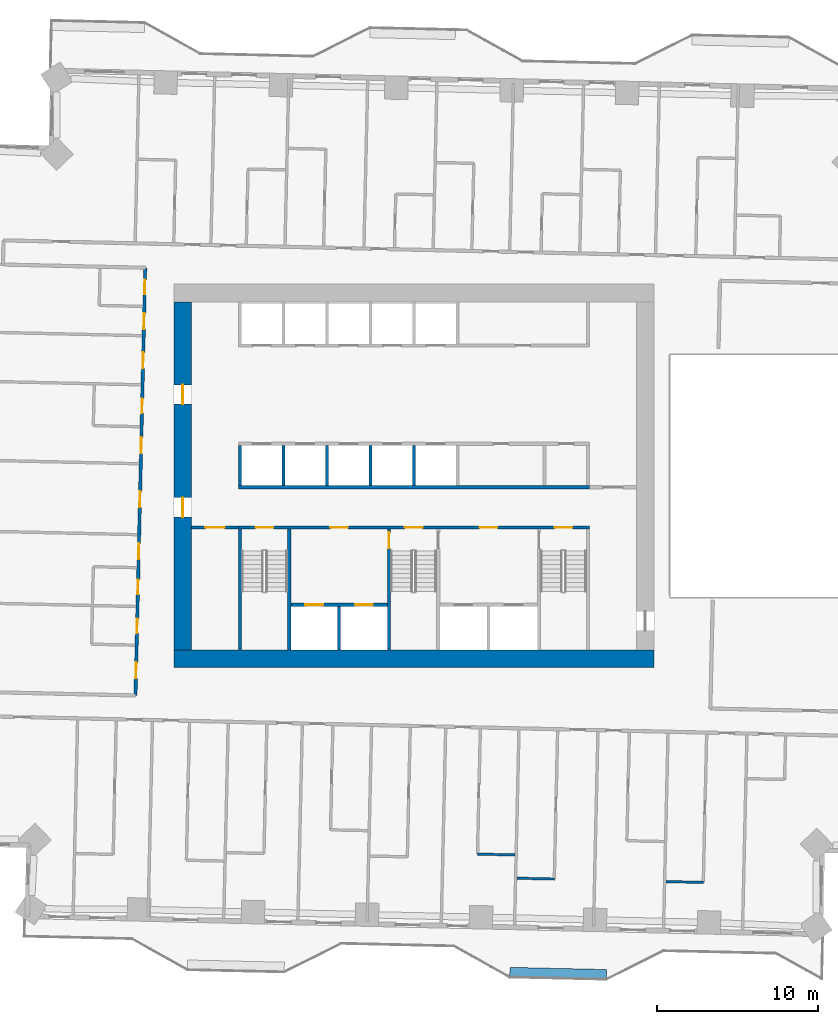
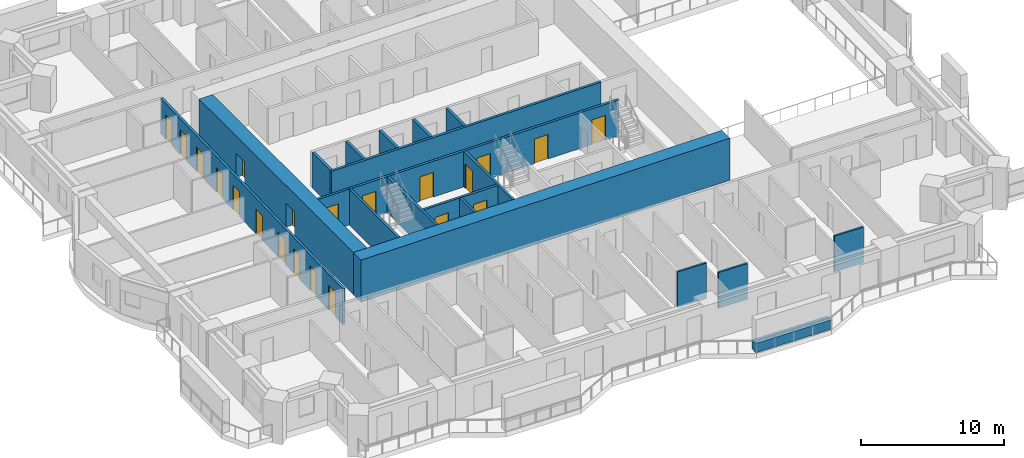
# One storey, part 8 of 18: 21 doors, 20 walls, 21 openings.
"""IFC4 building model written with IfcOpenShell, lengths in metres."""

from ifc_helpers import new_model, si_unit, direction, frame, frame_2d, origin, place, context, subcontext, project, spatial, rectangle, extrude, material, layer, layer_set, type_object, element, fill, save


model = new_model("IFC4")

# Units and contexts
model_context = context("Model", 3, precision=1e-05, world=origin(), true_north=direction((0.0, 1.0)))
body_context = subcontext(model_context, "Body", "Model", "MODEL_VIEW")
ifc_project = project(units=[si_unit("LENGTHUNIT", "METRE"), si_unit("AREAUNIT", "SQUARE_METRE"), si_unit("VOLUMEUNIT", "CUBIC_METRE"), si_unit("PLANEANGLEUNIT", "RADIAN"), si_unit("MASSUNIT", "GRAM", prefix="KILO")], contexts=[model_context])

# Site, building, storey
site_placement = place(None, origin())
site = spatial("IfcSite", under=ifc_project, at=site_placement, CompositionType="ELEMENT")
building_placement = place(site_placement, origin())
building = spatial("IfcBuilding", under=site, at=building_placement, Name="Mangrove Gate Tower", CompositionType="ELEMENT")
storey_placement = place(building_placement, frame((0.0, 0.0, 67.5)))
storey = spatial("IfcBuildingStorey", under=building, at=storey_placement, Name="L16", CompositionType="ELEMENT", Elevation=67.5)

# Wall, opening, door
ifc_material_1 = material(Name="Concrete C32/40", Category="concrete")
ifc_layer_1 = layer(ifc_material_1, 0.199951171875)
ifc_layer_set_1 = layer_set([ifc_layer_1], Name="Core lobby wall 200 C32/40")
wall_type_1 = type_object("IfcWallType", Name="Core lobby wall 200 C32/40", PredefinedType="STANDARD", material=ifc_layer_set_1)
wall_1_placement = place(storey_placement, frame((-13.800048828125, -3.199951171875, 0.0), z_axis=(0.0, 0.0, 1.0), x_axis=(1.0, 0.0, 0.0)))
wall_1 = element("IfcWall", 1, at=wall_1_placement, inside=storey, type_object=wall_type_1, Name="WALL-L16-CORE-34", PredefinedType="STANDARD", context=body_context, shape_type="SweptSolid", body=[
    extrude(rectangle(XDim=2.900146484375, YDim=0.199951171875, at=frame_2d((1.4501953125, 0.0))), origin(), (0.0, 0.0, 1.0), 3.050048828125),
])
opening_1_placement = place(wall_1_placement, frame((0.85009765625, 0.0, 0.0)))
opening_1 = element("IfcOpeningElement", 2, at=opening_1_placement, cuts=wall_1, Name="Opening FL12", PredefinedType="OPENING", context=body_context, shape_type="SweptSolid", body=[
    extrude(rectangle(XDim=1.199951171875, YDim=2.10009765625, at=frame_2d((0.60009765625, 1.050048828125))), frame((0.0, 0.10986328125, 0.0), z_axis=(0.0, -1.0, 0.0), x_axis=(1.0, 0.0, 0.0)), (0.0, 0.0, 1.0), 0.219970703125),
])
ifc_material_2 = material(Name="Fire-rated steel door set", Category="steel")
door_type_1 = type_object("IfcDoorType", Name="Lobby door FD60 1200x2100", OperationType="SINGLE_SWING_LEFT", PredefinedType="DOOR", material=ifc_material_2)
door_1_placement = place(opening_1_placement, origin())
door_1 = element("IfcDoor", 3, at=door_1_placement, inside=storey, type_object=door_type_1, Name="Lobby door core corridor W partition", OperationType="SINGLE_SWING_LEFT", OverallHeight=2.10009765625, OverallWidth=1.199951171875, PredefinedType="DOOR", context=body_context, shape_type="SweptSolid", body=[
    extrude(rectangle(XDim=1.199951171875, YDim=2.10009765625, at=frame_2d((0.60009765625, 1.050048828125))), frame((0.0, 0.02490234375, 0.0), z_axis=(0.0, -1.0, 0.0), x_axis=(1.0, 0.0, 0.0)), (0.0, 0.0, 1.0), 0.050048828125),
])
fill(opening_1, door_1)

# Wall
ifc_material_3 = material(Name="Concrete C70/85", Category="concrete")
ifc_layer_2 = layer(ifc_material_3, 0.199951171875)
ifc_layer_set_2 = layer_set([ifc_layer_2], Name="Core shaft wall 200 C70/85")
wall_type_2 = type_object("IfcWallType", Name="Core shaft wall 200 C70/85", PredefinedType="SHEAR", material=ifc_layer_set_2)
wall_2_placement = place(storey_placement, frame((-10.89990234375, -0.699951171875, 0.0), z_axis=(0.0, 0.0, 1.0), x_axis=(1.0, 0.0, 0.0)))
element("IfcWall", 4, at=wall_2_placement, inside=storey, type_object=wall_type_2, Name="WALL-L16-CORE-6", PredefinedType="SHEAR", context=body_context, shape_type="SweptSolid", body=[
    extrude(rectangle(XDim=21.7998046875, YDim=0.199951171875, at=frame_2d((10.89990234375, 0.0))), origin(), (0.0, 0.0, 1.0), 3.050048828125),
])

# Wall, openings, doors
wall_3_placement = place(storey_placement, frame((-7.64990234375, -8.0, 0.0), z_axis=(0.0, 0.0, 1.0), x_axis=(1.0, 0.0, 0.0)))
wall_3 = element("IfcWall", 5, at=wall_3_placement, inside=storey, type_object=wall_type_2, Name="WALL-L16-CORE-15", PredefinedType="SHEAR", context=body_context, shape_type="SweptSolid", body=[
    extrude(rectangle(XDim=6.0, YDim=0.199951171875, at=frame_2d((3.0, 0.0))), origin(), (0.0, 0.0, 1.0), 3.050048828125),
])
opening_2_placement = place(wall_3_placement, frame((0.89990234375, 0.0, 0.0)))
opening_2 = element("IfcOpeningElement", 6, at=opening_2_placement, cuts=wall_3, Name="Opening LD", PredefinedType="OPENING", context=body_context, shape_type="SweptSolid", body=[
    extrude(rectangle(XDim=1.10009765625, YDim=2.10009765625, at=frame_2d((0.550048828125, 1.050048828125))), frame((0.0, 0.10986328125, 0.0), z_axis=(0.0, -1.0, 0.0), x_axis=(1.0, 0.0, 0.0)), (0.0, 0.0, 1.0), 0.219970703125),
])
opening_3_placement = place(wall_3_placement, frame((4.0, 0.0, 0.0)))
opening_3 = element("IfcOpeningElement", 7, at=opening_3_placement, cuts=wall_3, Name="Opening LD", PredefinedType="OPENING", context=body_context, shape_type="SweptSolid", body=[
    extrude(rectangle(XDim=1.10009765625, YDim=2.10009765625, at=frame_2d((0.550048828125, 1.050048828125))), frame((0.0, 0.10986328125, 0.0), z_axis=(0.0, -1.0, 0.0), x_axis=(1.0, 0.0, 0.0)), (0.0, 0.0, 1.0), 0.219970703125),
])
ifc_material_4 = material(Name="Stainless steel 316", Category="steel")
door_type_2 = type_object("IfcDoorType", Name="Lift landing door 1100x2100", OperationType="SLIDING_TO_LEFT", PredefinedType="DOOR", material=ifc_material_4)
door_2_placement = place(opening_2_placement, origin())
door_2 = element("IfcDoor", 8, at=door_2_placement, inside=storey, type_object=door_type_2, Name="Landing door LD SVL1", OperationType="SLIDING_TO_LEFT", OverallHeight=2.10009765625, OverallWidth=1.10009765625, PredefinedType="DOOR", context=body_context, shape_type="SweptSolid", body=[
    extrude(rectangle(XDim=1.10009765625, YDim=2.10009765625, at=frame_2d((0.550048828125, 1.050048828125))), frame((0.0, 0.02490234375, 0.0), z_axis=(0.0, -1.0, 0.0), x_axis=(1.0, 0.0, 0.0)), (0.0, 0.0, 1.0), 0.050048828125),
])
fill(opening_2, door_2)
door_3_placement = place(opening_3_placement, origin())
door_3 = element("IfcDoor", 9, at=door_3_placement, inside=storey, type_object=door_type_2, Name="Landing door LD SVL2", OperationType="SLIDING_TO_LEFT", OverallHeight=2.10009765625, OverallWidth=1.10009765625, PredefinedType="DOOR", context=body_context, shape_type="SweptSolid", body=[
    extrude(rectangle(XDim=1.10009765625, YDim=2.10009765625, at=frame_2d((0.550048828125, 1.050048828125))), frame((0.0, 0.02490234375, 0.0), z_axis=(0.0, -1.0, 0.0), x_axis=(1.0, 0.0, 0.0)), (0.0, 0.0, 1.0), 0.050048828125),
])
fill(opening_3, door_3)

# Walls
wall_4_placement = place(storey_placement, frame((-4.64990234375, -10.800048828125, 0.0), z_axis=(0.0, 0.0, 1.0), x_axis=(0.0, 1.0, 0.0)))
element("IfcWall", 10, at=wall_4_placement, inside=storey, type_object=wall_type_2, Name="WALL-L16-CORE-16", PredefinedType="SHEAR", context=body_context, shape_type="SweptSolid", body=[
    extrude(rectangle(XDim=2.699951171875, YDim=0.199951171875, at=frame_2d((1.35009765625, 0.0))), origin(), (0.0, 0.0, 1.0), 3.050048828125),
])
for number, where, z_axis, x_axis, name in (
    (11, (-10.800048828125, -0.60009765625, 0.0), (0.0, 0.0, 1.0), (0.0, 1.0, 0.0), "WALL-L16-CORE-19"),
    (12, (-8.10009765625, -0.60009765625, 0.0), (0.0, 0.0, 1.0), (0.0, 1.0, 0.0), "WALL-L16-CORE-20"),
    (13, (-5.39990234375, -0.60009765625, 0.0), (0.0, 0.0, 1.0), (0.0, 1.0, 0.0), "WALL-L16-CORE-21"),
    (14, (-2.699951171875, -0.60009765625, 0.0), (0.0, 0.0, 1.0), (0.0, 1.0, 0.0), "WALL-L16-CORE-22"),
    (15, (0.0, -0.60009765625, 0.0), (0.0, 0.0, 1.0), (0.0, 1.0, 0.0), "WALL-L16-CORE-23"),
):
    element("IfcWall", number, at=place(storey_placement, frame(where, z_axis=z_axis, x_axis=x_axis)), inside=storey, type_object=wall_type_2, Name=name, PredefinedType="SHEAR", context=body_context, shape_type="SweptSolid", body=[
        extrude(rectangle(XDim=2.5, YDim=0.199951171875, at=frame_2d((1.25, 0.0))), origin(), (0.0, 0.0, 1.0), 3.050048828125),
    ])

# Wall, openings, doors
ifc_material_5 = material(Name="Concrete C70/85", Category="concrete")
ifc_layer_3 = layer(ifc_material_5, 0.199951171875)
ifc_layer_set_3 = layer_set([ifc_layer_3], Name="Core stair wall 200 C70/85")
wall_type_3 = type_object("IfcWallType", Name="Core stair wall 200 C70/85", PredefinedType="SHEAR", material=ifc_layer_set_3)
wall_5_placement = place(storey_placement, frame((-10.89990234375, -3.199951171875, 0.0), z_axis=(0.0, 0.0, 1.0), x_axis=(1.0, 0.0, 0.0)))
wall_5 = element("IfcWall", 16, at=wall_5_placement, inside=storey, type_object=wall_type_3, Name="WALL-L16-CORE-5", PredefinedType="SHEAR", context=body_context, shape_type="SweptSolid", body=[
    extrude(rectangle(XDim=21.7998046875, YDim=0.199951171875, at=frame_2d((10.89990234375, 0.0))), origin(), (0.0, 0.0, 1.0), 3.050048828125),
])
opening_4_placement = place(wall_5_placement, frame((1.074951171875, 0.0, 0.0)))
opening_4 = element("IfcOpeningElement", 17, at=opening_4_placement, cuts=wall_5, Name="Opening STD11", PredefinedType="OPENING", context=body_context, shape_type="SweptSolid", body=[
    extrude(rectangle(XDim=1.10009765625, YDim=2.10009765625, at=frame_2d((0.550048828125, 1.050048828125))), frame((0.0, 0.10986328125, 0.0), z_axis=(0.0, -1.0, 0.0), x_axis=(1.0, 0.0, 0.0)), (0.0, 0.0, 1.0), 0.219970703125),
])
opening_5_placement = place(wall_5_placement, frame((10.324951171875, 0.0, 0.0)))
opening_5 = element("IfcOpeningElement", 18, at=opening_5_placement, cuts=wall_5, Name="Opening STD11", PredefinedType="OPENING", context=body_context, shape_type="SweptSolid", body=[
    extrude(rectangle(XDim=1.10009765625, YDim=2.10009765625, at=frame_2d((0.550048828125, 1.050048828125))), frame((0.0, 0.10986328125, 0.0), z_axis=(0.0, -1.0, 0.0), x_axis=(1.0, 0.0, 0.0)), (0.0, 0.0, 1.0), 0.219970703125),
])
opening_6_placement = place(wall_5_placement, frame((19.625, 0.0, 0.0)))
opening_6 = element("IfcOpeningElement", 19, at=opening_6_placement, cuts=wall_5, Name="Opening STD11", PredefinedType="OPENING", context=body_context, shape_type="SweptSolid", body=[
    extrude(rectangle(XDim=1.10009765625, YDim=2.10009765625, at=frame_2d((0.550048828125, 1.050048828125))), frame((0.0, 0.10986328125, 0.0), z_axis=(0.0, -1.0, 0.0), x_axis=(1.0, 0.0, 0.0)), (0.0, 0.0, 1.0), 0.219970703125),
])
opening_7_placement = place(wall_5_placement, frame((5.699951171875, 0.0, 0.0)))
opening_7 = element("IfcOpeningElement", 20, at=opening_7_placement, cuts=wall_5, Name="Opening FL", PredefinedType="OPENING", context=body_context, shape_type="SweptSolid", body=[
    extrude(rectangle(XDim=1.10009765625, YDim=2.10009765625, at=frame_2d((0.550048828125, 1.050048828125))), frame((0.0, 0.10986328125, 0.0), z_axis=(0.0, -1.0, 0.0), x_axis=(1.0, 0.0, 0.0)), (0.0, 0.0, 1.0), 0.219970703125),
])
opening_8_placement = place(wall_5_placement, frame((14.97509765625, 0.0, 0.0)))
opening_8 = element("IfcOpeningElement", 21, at=opening_8_placement, cuts=wall_5, Name="Opening FL", PredefinedType="OPENING", context=body_context, shape_type="SweptSolid", body=[
    extrude(rectangle(XDim=1.10009765625, YDim=2.10009765625, at=frame_2d((0.550048828125, 1.050048828125))), frame((0.0, 0.10986328125, 0.0), z_axis=(0.0, -1.0, 0.0), x_axis=(1.0, 0.0, 0.0)), (0.0, 0.0, 1.0), 0.219970703125),
])
ifc_material_6 = material(Name="Fire-rated steel door set", Category="steel")
door_type_3 = type_object("IfcDoorType", Name="Lobby door FD60 1100x2100", OperationType="SINGLE_SWING_LEFT", PredefinedType="DOOR", material=ifc_material_6)
door_4_placement = place(opening_7_placement, origin())
door_4 = element("IfcDoor", 22, at=door_4_placement, inside=storey, type_object=door_type_3, Name="Lobby door service lobby", OperationType="SINGLE_SWING_LEFT", OverallHeight=2.10009765625, OverallWidth=1.10009765625, PredefinedType="DOOR", context=body_context, shape_type="SweptSolid", body=[
    extrude(rectangle(XDim=1.10009765625, YDim=2.10009765625, at=frame_2d((0.550048828125, 1.050048828125))), frame((0.0, 0.02490234375, 0.0), z_axis=(0.0, -1.0, 0.0), x_axis=(1.0, 0.0, 0.0)), (0.0, 0.0, 1.0), 0.050048828125),
])
fill(opening_7, door_4)
door_5_placement = place(opening_8_placement, origin())
door_5 = element("IfcDoor", 23, at=door_5_placement, inside=storey, type_object=door_type_3, Name="Lobby door fire-fighting lobby", OperationType="SINGLE_SWING_LEFT", OverallHeight=2.10009765625, OverallWidth=1.10009765625, PredefinedType="DOOR", context=body_context, shape_type="SweptSolid", body=[
    extrude(rectangle(XDim=1.10009765625, YDim=2.10009765625, at=frame_2d((0.550048828125, 1.050048828125))), frame((0.0, 0.02490234375, 0.0), z_axis=(0.0, -1.0, 0.0), x_axis=(1.0, 0.0, 0.0)), (0.0, 0.0, 1.0), 0.050048828125),
])
fill(opening_8, door_5)
ifc_material_7 = material(Name="Fire-rated steel door set", Category="steel")
door_type_4 = type_object("IfcDoorType", Name="Stair door FD60 1100x2100", OperationType="SINGLE_SWING_RIGHT", PredefinedType="DOOR", material=ifc_material_7)
door_6_placement = place(opening_4_placement, origin())
door_6 = element("IfcDoor", 24, at=door_6_placement, inside=storey, type_object=door_type_4, Name="Stair door Stair 1", OperationType="SINGLE_SWING_RIGHT", OverallHeight=2.10009765625, OverallWidth=1.10009765625, PredefinedType="DOOR", context=body_context, shape_type="SweptSolid", body=[
    extrude(rectangle(XDim=1.10009765625, YDim=2.10009765625, at=frame_2d((0.550048828125, 1.050048828125))), frame((0.0, 0.02490234375, 0.0), z_axis=(0.0, -1.0, 0.0), x_axis=(1.0, 0.0, 0.0)), (0.0, 0.0, 1.0), 0.050048828125),
])
fill(opening_4, door_6)
door_7_placement = place(opening_5_placement, origin())
door_7 = element("IfcDoor", 25, at=door_7_placement, inside=storey, type_object=door_type_4, Name="Stair door Stair 2", OperationType="SINGLE_SWING_RIGHT", OverallHeight=2.10009765625, OverallWidth=1.10009765625, PredefinedType="DOOR", context=body_context, shape_type="SweptSolid", body=[
    extrude(rectangle(XDim=1.10009765625, YDim=2.10009765625, at=frame_2d((0.550048828125, 1.050048828125))), frame((0.0, 0.02490234375, 0.0), z_axis=(0.0, -1.0, 0.0), x_axis=(1.0, 0.0, 0.0)), (0.0, 0.0, 1.0), 0.050048828125),
])
fill(opening_5, door_7)
door_8_placement = place(opening_6_placement, origin())
door_8 = element("IfcDoor", 26, at=door_8_placement, inside=storey, type_object=door_type_4, Name="Stair door Stair 3", OperationType="SINGLE_SWING_RIGHT", OverallHeight=2.10009765625, OverallWidth=1.10009765625, PredefinedType="DOOR", context=body_context, shape_type="SweptSolid", body=[
    extrude(rectangle(XDim=1.10009765625, YDim=2.10009765625, at=frame_2d((0.550048828125, 1.050048828125))), frame((0.0, 0.02490234375, 0.0), z_axis=(0.0, -1.0, 0.0), x_axis=(1.0, 0.0, 0.0)), (0.0, 0.0, 1.0), 0.050048828125),
])
fill(opening_6, door_8)

# Walls
for number, where, z_axis, x_axis, name in (
    (27, (-10.800048828125, -10.800048828125, 0.0), (0.0, 0.0, 1.0), (0.0, 1.0, 0.0), "WALL-L16-CORE-9"),
    (28, (-7.75, -10.800048828125, 0.0), (0.0, 0.0, 1.0), (0.0, 1.0, 0.0), "WALL-L16-CORE-10"),
):
    element("IfcWall", number, at=place(storey_placement, frame(where, z_axis=z_axis, x_axis=x_axis)), inside=storey, type_object=wall_type_3, Name=name, PredefinedType="SHEAR", context=body_context, shape_type="SweptSolid", body=[
        extrude(rectangle(XDim=7.5, YDim=0.199951171875, at=frame_2d((3.75, 0.0))), origin(), (0.0, 0.0, 1.0), 3.050048828125),
    ])

# Wall, opening, door
wall_6_placement = place(storey_placement, frame((-1.550048828125, -10.800048828125, 0.0), z_axis=(0.0, 0.0, 1.0), x_axis=(0.0, 1.0, 0.0)))
wall_6 = element("IfcWall", 29, at=wall_6_placement, inside=storey, type_object=wall_type_3, Name="WALL-L16-CORE-11", PredefinedType="SHEAR", context=body_context, shape_type="SweptSolid", body=[
    extrude(rectangle(XDim=7.5, YDim=0.199951171875, at=frame_2d((3.75, 0.0))), origin(), (0.0, 0.0, 1.0), 3.050048828125),
])
opening_9_placement = place(wall_6_placement, frame((6.300048828125, 0.0, 0.0)))
opening_9 = element("IfcOpeningElement", 30, at=opening_9_placement, cuts=wall_6, Name="Opening STD10", PredefinedType="OPENING", context=body_context, shape_type="SweptSolid", body=[
    extrude(rectangle(XDim=1.0, YDim=2.10009765625, at=frame_2d((0.5, 1.050048828125))), frame((0.0, 0.10986328125, 0.0), z_axis=(0.0, -1.0, 0.0), x_axis=(1.0, 0.0, 0.0)), (0.0, 0.0, 1.0), 0.219970703125),
])
ifc_material_8 = material(Name="Fire-rated steel door set", Category="steel")
door_type_5 = type_object("IfcDoorType", Name="Stair door FD60 1000x2100", OperationType="SINGLE_SWING_RIGHT", PredefinedType="DOOR", material=ifc_material_8)
door_9_placement = place(opening_9_placement, origin())
door_9 = element("IfcDoor", 31, at=door_9_placement, inside=storey, type_object=door_type_5, Name="Stair door Stair 2 from service lobby", OperationType="SINGLE_SWING_RIGHT", OverallHeight=2.10009765625, OverallWidth=1.0, PredefinedType="DOOR", context=body_context, shape_type="SweptSolid", body=[
    extrude(rectangle(XDim=1.0, YDim=2.10009765625, at=frame_2d((0.5, 1.050048828125))), frame((0.0, 0.02490234375, 0.0), z_axis=(0.0, -1.0, 0.0), x_axis=(1.0, 0.0, 0.0)), (0.0, 0.0, 1.0), 0.050048828125),
])
fill(opening_9, door_9)

# Wall
ifc_material_9 = material(Name="Concrete C70/85", Category="concrete")
ifc_layer_4 = layer(ifc_material_9, 1.10009765625)
ifc_layer_set_4 = layer_set([ifc_layer_4], Name="Core wall 1100 C70/85")
wall_type_4 = type_object("IfcWallType", Name="Core wall 1100 C70/85", PredefinedType="SHEAR", material=ifc_layer_set_4)
wall_7_placement = place(storey_placement, frame((-14.89990234375, -11.35009765625, 0.0), z_axis=(0.0, 0.0, 1.0), x_axis=(1.0, 0.0, 0.0)))
element("IfcWall", 32, at=wall_7_placement, inside=storey, type_object=wall_type_4, Name="WALL-L16-CORE-1", PredefinedType="SHEAR", context=body_context, shape_type="SweptSolid", body=[
    extrude(rectangle(XDim=29.7998046875, YDim=1.10009765625, at=frame_2d((14.89990234375, 0.0))), origin(), (0.0, 0.0, 1.0), 3.60009765625),
])

# Wall, openings, doors
wall_8_placement = place(storey_placement, frame((-14.35009765625, -10.800048828125, 0.0), z_axis=(0.0, 0.0, 1.0), x_axis=(0.0, 1.0, 0.0)))
wall_8 = element("IfcWall", 33, at=wall_8_placement, inside=storey, type_object=wall_type_4, Name="WALL-L16-CORE-3", PredefinedType="SHEAR", context=body_context, shape_type="SweptSolid", body=[
    extrude(rectangle(XDim=21.60009765625, YDim=1.10009765625, at=frame_2d((10.800048828125, 0.0))), origin(), (0.0, 0.0, 1.0), 3.60009765625),
])
opening_10_placement = place(wall_8_placement, frame((8.25, 0.0, 0.0)))
opening_10 = element("IfcOpeningElement", 34, at=opening_10_placement, cuts=wall_8, Name="Opening CD", PredefinedType="OPENING", context=body_context, shape_type="SweptSolid", body=[
    extrude(rectangle(XDim=1.199951171875, YDim=2.10009765625, at=frame_2d((0.60009765625, 1.050048828125))), frame((0.0, 0.56005859375, 0.0), z_axis=(0.0, -1.0, 0.0), x_axis=(1.0, 0.0, 0.0)), (0.0, 0.0, 1.0), 1.1201171875),
])
opening_11_placement = place(wall_8_placement, frame((15.25, 0.0, 0.0)))
opening_11 = element("IfcOpeningElement", 35, at=opening_11_placement, cuts=wall_8, Name="Opening CD", PredefinedType="OPENING", context=body_context, shape_type="SweptSolid", body=[
    extrude(rectangle(XDim=1.199951171875, YDim=2.10009765625, at=frame_2d((0.60009765625, 1.050048828125))), frame((0.0, 0.56005859375, 0.0), z_axis=(0.0, -1.0, 0.0), x_axis=(1.0, 0.0, 0.0)), (0.0, 0.0, 1.0), 1.1201171875),
])
ifc_material_10 = material(Name="Fire-rated steel door set", Category="steel")
door_type_6 = type_object("IfcDoorType", Name="Core ring door FD60 1200x2100", OperationType="DOUBLE_DOOR_SINGLE_SWING", PredefinedType="DOOR", material=ifc_material_10)
door_10_placement = place(opening_10_placement, origin())
door_10 = element("IfcDoor", 36, at=door_10_placement, inside=storey, type_object=door_type_6, Name="Core ring door W1", OperationType="DOUBLE_DOOR_SINGLE_SWING", OverallHeight=2.10009765625, OverallWidth=1.199951171875, PredefinedType="DOOR", context=body_context, shape_type="SweptSolid", body=[
    extrude(rectangle(XDim=1.199951171875, YDim=2.10009765625, at=frame_2d((0.60009765625, 1.050048828125))), frame((0.0, 0.02490234375, 0.0), z_axis=(0.0, -1.0, 0.0), x_axis=(1.0, 0.0, 0.0)), (0.0, 0.0, 1.0), 0.050048828125),
])
fill(opening_10, door_10)
door_11_placement = place(opening_11_placement, origin())
door_11 = element("IfcDoor", 37, at=door_11_placement, inside=storey, type_object=door_type_6, Name="Core ring door W2", OperationType="DOUBLE_DOOR_SINGLE_SWING", OverallHeight=2.10009765625, OverallWidth=1.199951171875, PredefinedType="DOOR", context=body_context, shape_type="SweptSolid", body=[
    extrude(rectangle(XDim=1.199951171875, YDim=2.10009765625, at=frame_2d((0.60009765625, 1.050048828125))), frame((0.0, 0.02490234375, 0.0), z_axis=(0.0, -1.0, 0.0), x_axis=(1.0, 0.0, 0.0)), (0.0, 0.0, 1.0), 0.050048828125),
])
fill(opening_11, door_11)

ifc_material_11 = material(Name="Gypsum board on steel stud, EI 60", Category="steel")
ifc_layer_5 = layer(ifc_material_11, 0.199951171875)
ifc_layer_set_5 = layer_set([ifc_layer_5], Name="Corridor wall EI 60")
wall_type_5 = type_object("IfcWallType", Name="Corridor wall EI 60", PredefinedType="PARTITIONING", material=ifc_layer_set_5)
wall_9_placement = place(storey_placement, frame((-17.287109375, -13.625, 0.0), z_axis=(0.0, 0.0, 1.0), x_axis=(0.022712214871, 0.999742044377, 0.0)))
wall_9 = element("IfcWall", 38, at=wall_9_placement, inside=storey, type_object=wall_type_5, Name="WALL-L16-036", PredefinedType="PARTITIONING", context=body_context, shape_type="SweptSolid", body=[
    extrude(rectangle(XDim=26.55078125, YDim=0.199951171875, at=frame_2d((13.275390625, 0.0))), origin(), (0.0, 0.0, 1.0), 3.050048828125),
])
opening_12_placement = place(wall_9_placement, frame((22.738037109375, 0.0, 0.0)))
opening_12 = element("IfcOpeningElement", 39, at=opening_12_placement, cuts=wall_9, Name="Opening AD", PredefinedType="OPENING", context=body_context, shape_type="SweptSolid", body=[
    extrude(rectangle(XDim=1.0, YDim=2.10009765625, at=frame_2d((0.5, 1.050048828125))), frame((0.0, 0.10986328125, 0.0), z_axis=(0.0, -1.0, 0.0), x_axis=(1.0, 0.0, 0.0)), (0.0, 0.0, 1.0), 0.219970703125),
])
opening_13_placement = place(wall_9_placement, frame((24.89990234375, 0.0, 0.0)))
opening_13 = element("IfcOpeningElement", 40, at=opening_13_placement, cuts=wall_9, Name="Opening SD", PredefinedType="OPENING", context=body_context, shape_type="SweptSolid", body=[
    extrude(rectangle(XDim=0.89990234375, YDim=2.10009765625, at=frame_2d((0.449951171875, 1.050048828125))), frame((0.0, 0.10986328125, 0.0), z_axis=(0.0, -1.0, 0.0), x_axis=(1.0, 0.0, 0.0)), (0.0, 0.0, 1.0), 0.219970703125),
])
opening_14_placement = place(wall_9_placement, frame((20.300048828125, 0.0, 0.0)))
opening_14 = element("IfcOpeningElement", 41, at=opening_14_placement, cuts=wall_9, Name="Opening AD", PredefinedType="OPENING", context=body_context, shape_type="SweptSolid", body=[
    extrude(rectangle(XDim=1.0, YDim=2.10009765625, at=frame_2d((0.5, 1.050048828125))), frame((0.0, 0.10986328125, 0.0), z_axis=(0.0, -1.0, 0.0), x_axis=(1.0, 0.0, 0.0)), (0.0, 0.0, 1.0), 0.219970703125),
])
opening_15_placement = place(wall_9_placement, frame((15.02490234375, 0.0, 0.0)))
opening_15 = element("IfcOpeningElement", 42, at=opening_15_placement, cuts=wall_9, Name="Opening AD", PredefinedType="OPENING", context=body_context, shape_type="SweptSolid", body=[
    extrude(rectangle(XDim=1.0, YDim=2.10009765625, at=frame_2d((0.5, 1.050048828125))), frame((0.0, 0.10986328125, 0.0), z_axis=(0.0, -1.0, 0.0), x_axis=(1.0, 0.0, 0.0)), (0.0, 0.0, 1.0), 0.219970703125),
])
opening_16_placement = place(wall_9_placement, frame((17.52490234375, 0.0, 0.0)))
opening_16 = element("IfcOpeningElement", 43, at=opening_16_placement, cuts=wall_9, Name="Opening SD", PredefinedType="OPENING", context=body_context, shape_type="SweptSolid", body=[
    extrude(rectangle(XDim=0.89990234375, YDim=2.10009765625, at=frame_2d((0.449951171875, 1.050048828125))), frame((0.0, 0.10986328125, 0.0), z_axis=(0.0, -1.0, 0.0), x_axis=(1.0, 0.0, 0.0)), (0.0, 0.0, 1.0), 0.219970703125),
])
opening_17_placement = place(wall_9_placement, frame((11.677978515625, 0.0, 0.0)))
opening_17 = element("IfcOpeningElement", 44, at=opening_17_placement, cuts=wall_9, Name="Opening AD", PredefinedType="OPENING", context=body_context, shape_type="SweptSolid", body=[
    extrude(rectangle(XDim=1.0, YDim=2.10009765625, at=frame_2d((0.5, 1.050048828125))), frame((0.0, 0.10986328125, 0.0), z_axis=(0.0, -1.0, 0.0), x_axis=(1.0, 0.0, 0.0)), (0.0, 0.0, 1.0), 0.219970703125),
])
opening_18_placement = place(wall_9_placement, frame((8.449951171875, 0.0, 0.0)))
opening_18 = element("IfcOpeningElement", 45, at=opening_18_placement, cuts=wall_9, Name="Opening AD", PredefinedType="OPENING", context=body_context, shape_type="SweptSolid", body=[
    extrude(rectangle(XDim=1.0, YDim=2.10009765625, at=frame_2d((0.5, 1.050048828125))), frame((0.0, 0.10986328125, 0.0), z_axis=(0.0, -1.0, 0.0), x_axis=(1.0, 0.0, 0.0)), (0.0, 0.0, 1.0), 0.219970703125),
])
opening_19_placement = place(wall_9_placement, frame((6.27490234375, 0.0, 0.0)))
opening_19 = element("IfcOpeningElement", 46, at=opening_19_placement, cuts=wall_9, Name="Opening SD", PredefinedType="OPENING", context=body_context, shape_type="SweptSolid", body=[
    extrude(rectangle(XDim=0.89990234375, YDim=2.10009765625, at=frame_2d((0.449951171875, 1.050048828125))), frame((0.0, 0.10986328125, 0.0), z_axis=(0.0, -1.0, 0.0), x_axis=(1.0, 0.0, 0.0)), (0.0, 0.0, 1.0), 0.219970703125),
])
opening_20_placement = place(wall_9_placement, frame((1.06201171875, 0.0, 0.0)))
opening_20 = element("IfcOpeningElement", 47, at=opening_20_placement, cuts=wall_9, Name="Opening AD", PredefinedType="OPENING", context=body_context, shape_type="SweptSolid", body=[
    extrude(rectangle(XDim=1.0, YDim=2.10009765625, at=frame_2d((0.5, 1.050048828125))), frame((0.0, 0.10986328125, 0.0), z_axis=(0.0, -1.0, 0.0), x_axis=(1.0, 0.0, 0.0)), (0.0, 0.0, 1.0), 0.219970703125),
])
opening_21_placement = place(wall_9_placement, frame((3.875, 0.0, 0.0)))
opening_21 = element("IfcOpeningElement", 48, at=opening_21_placement, cuts=wall_9, Name="Opening SD", PredefinedType="OPENING", context=body_context, shape_type="SweptSolid", body=[
    extrude(rectangle(XDim=0.89990234375, YDim=2.10009765625, at=frame_2d((0.449951171875, 1.050048828125))), frame((0.0, 0.10986328125, 0.0), z_axis=(0.0, -1.0, 0.0), x_axis=(1.0, 0.0, 0.0)), (0.0, 0.0, 1.0), 0.219970703125),
])
ifc_material_12 = material(Name="Timber door leaf", Category="wood")
door_type_7 = type_object("IfcDoorType", Name="Amenity door 1000", OperationType="SINGLE_SWING_LEFT", PredefinedType="DOOR", material=ifc_material_12)
door_12_placement = place(opening_12_placement, origin())
door_12 = element("IfcDoor", 49, at=door_12_placement, inside=storey, type_object=door_type_7, Name="DOOR-L16-KIT-c5b", OperationType="SINGLE_SWING_LEFT", OverallHeight=2.10009765625, OverallWidth=1.0, PredefinedType="DOOR", context=body_context, shape_type="SweptSolid", body=[
    extrude(rectangle(XDim=1.0, YDim=2.10009765625, at=frame_2d((0.5, 1.050048828125))), frame((0.0, 0.02490234375, 0.0), z_axis=(0.0, -1.0, 0.0), x_axis=(1.0, 0.0, 0.0)), (0.0, 0.0, 1.0), 0.050048828125),
])
fill(opening_12, door_12)
door_13_placement = place(opening_14_placement, origin())
door_13 = element("IfcDoor", 50, at=door_13_placement, inside=storey, type_object=door_type_7, Name="DOOR-L16-STU-c5a", OperationType="SINGLE_SWING_RIGHT", OverallHeight=2.10009765625, OverallWidth=1.0, PredefinedType="DOOR", context=body_context, shape_type="SweptSolid", body=[
    extrude(rectangle(XDim=1.0, YDim=2.10009765625, at=frame_2d((0.5, 1.050048828125))), frame((0.0, 0.02490234375, 0.0), z_axis=(0.0, -1.0, 0.0), x_axis=(1.0, 0.0, 0.0)), (0.0, 0.0, 1.0), 0.050048828125),
])
fill(opening_14, door_13)
door_14_placement = place(opening_15_placement, origin())
door_14 = element("IfcDoor", 51, at=door_14_placement, inside=storey, type_object=door_type_7, Name="DOOR-L16-GAM-c5a", OperationType="SINGLE_SWING_LEFT", OverallHeight=2.10009765625, OverallWidth=1.0, PredefinedType="DOOR", context=body_context, shape_type="SweptSolid", body=[
    extrude(rectangle(XDim=1.0, YDim=2.10009765625, at=frame_2d((0.5, 1.050048828125))), frame((0.0, 0.02490234375, 0.0), z_axis=(0.0, -1.0, 0.0), x_axis=(1.0, 0.0, 0.0)), (0.0, 0.0, 1.0), 0.050048828125),
])
fill(opening_15, door_14)
door_15_placement = place(opening_17_placement, origin())
door_15 = element("IfcDoor", 52, at=door_15_placement, inside=storey, type_object=door_type_7, Name="DOOR-L16-GAM-c5b", OperationType="SINGLE_SWING_RIGHT", OverallHeight=2.10009765625, OverallWidth=1.0, PredefinedType="DOOR", context=body_context, shape_type="SweptSolid", body=[
    extrude(rectangle(XDim=1.0, YDim=2.10009765625, at=frame_2d((0.5, 1.050048828125))), frame((0.0, 0.02490234375, 0.0), z_axis=(0.0, -1.0, 0.0), x_axis=(1.0, 0.0, 0.0)), (0.0, 0.0, 1.0), 0.050048828125),
])
fill(opening_17, door_15)
door_16_placement = place(opening_18_placement, origin())
door_16 = element("IfcDoor", 53, at=door_16_placement, inside=storey, type_object=door_type_7, Name="DOOR-L16-KIT-c5c", OperationType="SINGLE_SWING_LEFT", OverallHeight=2.10009765625, OverallWidth=1.0, PredefinedType="DOOR", context=body_context, shape_type="SweptSolid", body=[
    extrude(rectangle(XDim=1.0, YDim=2.10009765625, at=frame_2d((0.5, 1.050048828125))), frame((0.0, 0.02490234375, 0.0), z_axis=(0.0, -1.0, 0.0), x_axis=(1.0, 0.0, 0.0)), (0.0, 0.0, 1.0), 0.050048828125),
])
fill(opening_18, door_16)
door_17_placement = place(opening_20_placement, origin())
door_17 = element("IfcDoor", 54, at=door_17_placement, inside=storey, type_object=door_type_7, Name="DOOR-L16-LNG-c5a", OperationType="SINGLE_SWING_RIGHT", OverallHeight=2.10009765625, OverallWidth=1.0, PredefinedType="DOOR", context=body_context, shape_type="SweptSolid", body=[
    extrude(rectangle(XDim=1.0, YDim=2.10009765625, at=frame_2d((0.5, 1.050048828125))), frame((0.0, 0.02490234375, 0.0), z_axis=(0.0, -1.0, 0.0), x_axis=(1.0, 0.0, 0.0)), (0.0, 0.0, 1.0), 0.050048828125),
])
fill(opening_20, door_17)
ifc_material_13 = material(Name="Timber door leaf", Category="wood")
door_type_8 = type_object("IfcDoorType", Name="Service room door 900", OperationType="SINGLE_SWING_LEFT", PredefinedType="DOOR", material=ifc_material_13)
door_18_placement = place(opening_13_placement, origin())
door_18 = element("IfcDoor", 55, at=door_18_placement, inside=storey, type_object=door_type_8, Name="DOOR-L16-WC-c5a", OperationType="SINGLE_SWING_LEFT", OverallHeight=2.10009765625, OverallWidth=0.89990234375, PredefinedType="DOOR", context=body_context, shape_type="SweptSolid", body=[
    extrude(rectangle(XDim=0.89990234375, YDim=2.10009765625, at=frame_2d((0.449951171875, 1.050048828125))), frame((0.0, 0.02490234375, 0.0), z_axis=(0.0, -1.0, 0.0), x_axis=(1.0, 0.0, 0.0)), (0.0, 0.0, 1.0), 0.050048828125),
])
fill(opening_13, door_18)
door_19_placement = place(opening_16_placement, origin())
door_19 = element("IfcDoor", 56, at=door_19_placement, inside=storey, type_object=door_type_8, Name="DOOR-L16-AWC-c5a", OperationType="SINGLE_SWING_RIGHT", OverallHeight=2.10009765625, OverallWidth=0.89990234375, PredefinedType="DOOR", context=body_context, shape_type="SweptSolid", body=[
    extrude(rectangle(XDim=0.89990234375, YDim=2.10009765625, at=frame_2d((0.449951171875, 1.050048828125))), frame((0.0, 0.02490234375, 0.0), z_axis=(0.0, -1.0, 0.0), x_axis=(1.0, 0.0, 0.0)), (0.0, 0.0, 1.0), 0.050048828125),
])
fill(opening_16, door_19)
door_20_placement = place(opening_19_placement, origin())
door_20 = element("IfcDoor", 57, at=door_20_placement, inside=storey, type_object=door_type_8, Name="DOOR-L16-WC-c5b", OperationType="SINGLE_SWING_LEFT", OverallHeight=2.10009765625, OverallWidth=0.89990234375, PredefinedType="DOOR", context=body_context, shape_type="SweptSolid", body=[
    extrude(rectangle(XDim=0.89990234375, YDim=2.10009765625, at=frame_2d((0.449951171875, 1.050048828125))), frame((0.0, 0.02490234375, 0.0), z_axis=(0.0, -1.0, 0.0), x_axis=(1.0, 0.0, 0.0)), (0.0, 0.0, 1.0), 0.050048828125),
])
fill(opening_19, door_20)
door_21_placement = place(opening_21_placement, origin())
door_21 = element("IfcDoor", 58, at=door_21_placement, inside=storey, type_object=door_type_8, Name="DOOR-L16-WC-c5c", OperationType="SINGLE_SWING_RIGHT", OverallHeight=2.10009765625, OverallWidth=0.89990234375, PredefinedType="DOOR", context=body_context, shape_type="SweptSolid", body=[
    extrude(rectangle(XDim=0.89990234375, YDim=2.10009765625, at=frame_2d((0.449951171875, 1.050048828125))), frame((0.0, 0.02490234375, 0.0), z_axis=(0.0, -1.0, 0.0), x_axis=(1.0, 0.0, 0.0)), (0.0, 0.0, 1.0), 0.050048828125),
])
fill(opening_21, door_21)

# Walls
ifc_material_14 = material(Name="Gypsum board on steel stud, EI 60", Category="steel")
ifc_layer_6 = layer(ifc_material_14, 0.14990234375)
ifc_layer_set_6 = layer_set([ifc_layer_6], Name="Party wall 150 EI 60")
wall_type_6 = type_object("IfcWallType", Name="Party wall 150 EI 60", PredefinedType="PARTITIONING", material=ifc_layer_set_6)
wall_10_placement = place(storey_placement, frame((6.37890625, -24.964111328125, 0.0), z_axis=(0.0, 0.0, 1.0), x_axis=(0.99974053329, -0.022778632478, 0.0)))
element("IfcWall", 59, at=wall_10_placement, inside=storey, type_object=wall_type_6, Name="WALL-L16-011", PredefinedType="PARTITIONING", context=body_context, shape_type="SweptSolid", body=[
    extrude(rectangle(XDim=2.32568359375, YDim=0.14990234375, at=frame_2d((1.162841796875, 0.0))), origin(), (0.0, 0.0, 1.0), 3.050048828125),
])
for number, where, z_axis, x_axis, name in (
    (60, (15.626953125, -25.174072265625, 0.0), (0.0, 0.0, 1.0), (0.999740260747, -0.02279059109, 0.0), "WALL-L16-013"),
    (61, (3.93798828125, -23.468994140625, 0.0), (0.0, 0.0, 1.0), (0.999749744571, -0.022370700241, 0.0), "WALL-L16-024"),
):
    element("IfcWall", number, at=place(storey_placement, frame(where, z_axis=z_axis, x_axis=x_axis)), inside=storey, type_object=wall_type_6, Name=name, PredefinedType="PARTITIONING", context=body_context, shape_type="SweptSolid", body=[
        extrude(rectangle(XDim=2.324462890625, YDim=0.14990234375, at=frame_2d((1.162109375, 0.0))), origin(), (0.0, 0.0, 1.0), 3.050048828125),
    ])
ifc_material_15 = material(Name="Concrete C32/40", Category="concrete")
ifc_layer_7 = layer(ifc_material_15, 0.199951171875, Name="Planter trough wall")
ifc_material_16 = material(Name="Bituminous waterproofing membrane")
ifc_layer_8 = layer(ifc_material_16, 0.0048828125, Name="Waterproofing")
ifc_material_17 = material(Name="Drainage board and gravel")
ifc_layer_9 = layer(ifc_material_17, 0.044921875, Name="Drainage layer")
ifc_material_18 = material(Name="Planting soil")
ifc_layer_10 = layer(ifc_material_18, 0.300048828125, Name="Growing medium")
ifc_layer_set_7 = layer_set([ifc_layer_7, ifc_layer_8, ifc_layer_9, ifc_layer_10], Name="Planter wall 550 C32/40")
wall_type_7 = type_object("IfcWallType", Name="Planter wall 550 C32/40", PredefinedType="USERDEFINED", material=ifc_layer_set_7)
wall_11_placement = place(storey_placement, frame((5.93994140625, -30.77099609375, 0.0), z_axis=(0.0, 0.0, 1.0), x_axis=(0.999743178102, -0.022662255828, 0.0)))
element("IfcWall", 62, at=wall_11_placement, inside=storey, type_object=wall_type_7, Name="PLANTER L16 S1.1", ObjectType="PLANTER", PredefinedType="USERDEFINED", context=body_context, shape_type="SweptSolid", body=[
    extrude(rectangle(XDim=6.00048828125, YDim=0.550048828125, at=frame_2d((3.000244140625, 0.0))), origin(), (0.0, 0.0, 1.0), 0.800048828125),
])

save(model, "model.ifc")
